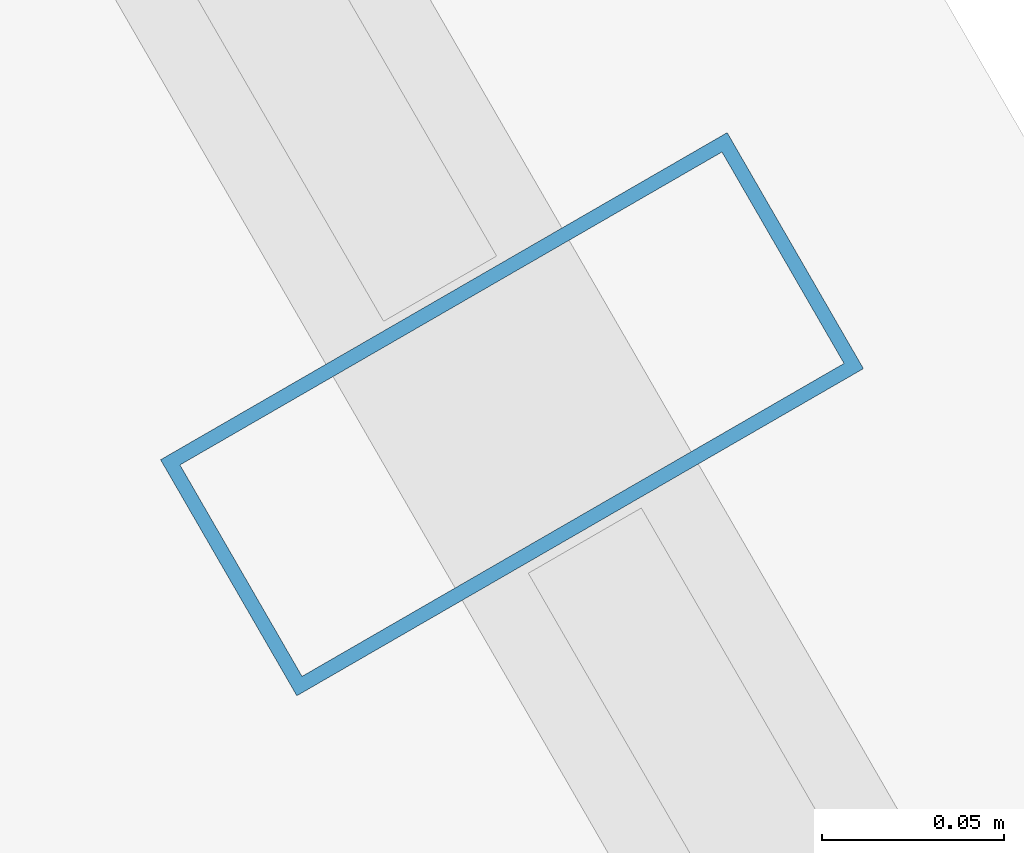
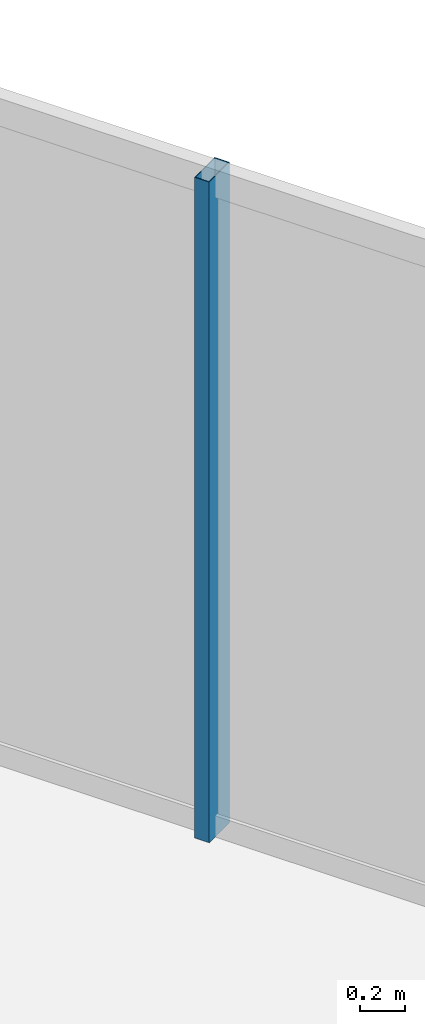
# One storey, part 25 of 34: 1 member, 1 element without a shape of its own.
"""IFC4 building model written with IfcOpenShell, lengths in metres."""

import ifcopenshell
import ifcopenshell.guid

model = None  # the IFC model being written
_history = None  # IfcOwnerHistory: only IFC2X3 demands one
_inside = {}  # id of a spatial element -> (the spatial element, [elements in it])
_under = {}  # id of a project, library or spatial element -> (it, [spatial elements below it])
_declared = {}  # id of a project -> (the project, [libraries it declares])
_typed = {}  # id of a type object -> (the type object, [elements of that type])
_made_of = {}  # id of a material, layer set ... -> (it, [elements and type objects made of it])


def new_model(schema):
    """Start an empty IFC model of exactly this schema.

    Asked for "IFC4X3", IfcOpenShell would pick the latest addendum, in which some entities
    have other attributes; the version numbers below select the first issue.
    IFC2X3 requires an IfcOwnerHistory on every rooted entity: one is made here for all.
    """
    global model, _history
    if schema == "IFC4X3":
        model = ifcopenshell.file(schema_version=(4, 3, 0, 0))
    else:
        model = ifcopenshell.file(schema=schema)
    _inside.clear()
    _under.clear()
    _declared.clear()
    _typed.clear()
    _made_of.clear()
    _history = None
    if model.schema == "IFC2X3":
        org = make("IfcOrganization", Name="unknown")
        user = make(
            "IfcPersonAndOrganization",
            ThePerson=make("IfcPerson", FamilyName="unknown"),
            TheOrganization=org,
        )
        app = make(
            "IfcApplication",
            ApplicationDeveloper=org,
            Version="unknown",
            ApplicationFullName="unknown",
            ApplicationIdentifier="unknown",
        )
        _history = make(
            "IfcOwnerHistory",
            OwningUser=user,
            OwningApplication=app,
            ChangeAction="ADDED",
            CreationDate=0,
        )
    return model


def make(cls, **values):
    """One entity of the class cls with the attributes given. An attribute that is None is left unset."""
    return model.create_entity(
        cls, **{name: value for name, value in values.items() if value is not None}
    )


def rooted(cls, **values):
    """An entity with a GlobalId (a new one), such as an element, a storey or a relation."""
    return make(cls, GlobalId=ifcopenshell.guid.new(), OwnerHistory=_history, **values)


def si_unit(unit_type, name, prefix=None):
    """IfcSIUnit, for example si_unit("LENGTHUNIT", "METRE", prefix="MILLI")."""
    return make("IfcSIUnit", UnitType=unit_type, Prefix=prefix, Name=name)


def assignment(units):
    """IfcUnitAssignment: the units of a project."""
    return None if units is None else make("IfcUnitAssignment", Units=units)


def point(xyz):
    """IfcCartesianPoint."""
    return None if xyz is None else make("IfcCartesianPoint", Coordinates=xyz)


def direction(xyz):
    """IfcDirection."""
    return None if xyz is None else make("IfcDirection", DirectionRatios=xyz)


def frame(location, z_axis=None, x_axis=None):
    """IfcAxis2Placement3D, a coordinate frame: its origin and axes. An axis left out is left unset."""
    return make(
        "IfcAxis2Placement3D",
        Location=point(location),
        Axis=direction(z_axis),
        RefDirection=direction(x_axis),
    )


def frame_2d(location, x_axis=None):
    """IfcAxis2Placement2D, a coordinate frame in the plane: its origin and x axis."""
    return make(
        "IfcAxis2Placement2D", Location=point(location), RefDirection=direction(x_axis)
    )


def origin():
    """The frame at (0, 0, 0) with its axes left unset."""
    return frame((0.0, 0.0, 0.0))


def origin_2d():
    """The frame at (0, 0) in the plane with its x axis left unset."""
    return frame_2d((0.0, 0.0))


def place(relative_to, where):
    """IfcLocalPlacement: puts the frame where relative to a parent placement (None: the world)."""
    return make(
        "IfcLocalPlacement", PlacementRelTo=relative_to, RelativePlacement=where
    )


def context(
    kind, dimensions, precision=None, world=None, true_north=None, identifier=None
):
    """IfcGeometricRepresentationContext, for example the 3D "Model" context."""
    return make(
        "IfcGeometricRepresentationContext",
        ContextIdentifier=identifier,
        ContextType=kind,
        CoordinateSpaceDimension=dimensions,
        Precision=precision,
        WorldCoordinateSystem=world,
        TrueNorth=true_north,
    )


def subcontext(parent, identifier, kind, view, scale=None):
    """IfcGeometricRepresentationSubContext, for example "Body" below "Model"."""
    return make(
        "IfcGeometricRepresentationSubContext",
        ContextIdentifier=identifier,
        ContextType=kind,
        ParentContext=parent,
        TargetScale=scale,
        TargetView=view,
    )


def project(units=None, contexts=None):
    """IfcProject with its units and contexts."""
    return rooted(
        "IfcProject",
        Name="project",
        RepresentationContexts=contexts,
        UnitsInContext=assignment(units),
    )


def spatial(cls, under=None, at=None, **own):
    """A site, building, storey or space (cls), placed at a placement, below another one or the project."""
    s = rooted(cls, ObjectPlacement=at, **own)
    if under is not None:
        _under.setdefault(under.id(), (under, []))[1].append(s)
    return s


def profile(cls, at=None, kind="AREA", **sizes):
    """A parametric profile (cls). Its sizes go by their IFC names, for example OverallWidth=200.0."""
    return make(cls, ProfileType=kind, Position=at, **sizes)


def hollow_rectangle(**sizes):
    """IfcRectangleHollowProfileDef."""
    return profile("IfcRectangleHollowProfileDef", **sizes)


def extrude(swept, where, along, depth):
    """IfcExtrudedAreaSolid: the profile swept, set in the frame where, extruded along a direction by depth."""
    return make(
        "IfcExtrudedAreaSolid",
        SweptArea=swept,
        Position=where,
        ExtrudedDirection=direction(along),
        Depth=depth,
    )


def shape(context_of_items, identifier, shape_type, items):
    """IfcShapeRepresentation: the items that make up one representation, for example the "Body"."""
    return make(
        "IfcShapeRepresentation",
        ContextOfItems=context_of_items,
        RepresentationIdentifier=identifier,
        RepresentationType=shape_type,
        Items=items,
    )


def material(Name=None, Category=None):
    """IfcMaterial."""
    return make("IfcMaterial", Name=Name, Category=Category)


def layer(
    of_material, thickness, ventilated=None, Name=None, Category=None, Priority=None
):
    """IfcMaterialLayer: one layer of a wall or slab, of a material (None: an air gap)."""
    return make(
        "IfcMaterialLayer",
        Material=of_material,
        LayerThickness=thickness,
        IsVentilated=ventilated,
        Name=Name,
        Category=Category,
        Priority=Priority,
    )


def layer_set(layers, Name=None):
    """IfcMaterialLayerSet."""
    return make("IfcMaterialLayerSet", MaterialLayers=layers, LayerSetName=Name)


def material_profile(
    of_material, cross_section, Name=None, Category=None, Priority=None
):
    """IfcMaterialProfile: a cross section and its material."""
    return make(
        "IfcMaterialProfile",
        Name=Name,
        Material=of_material,
        Profile=cross_section,
        Priority=Priority,
        Category=Category,
    )


def profile_set(profiles, Name=None, composite=None):
    """IfcMaterialProfileSet."""
    return make(
        "IfcMaterialProfileSet",
        Name=Name,
        MaterialProfiles=profiles,
        CompositeProfile=composite,
    )


def made_of(thing, what):
    """Note that an element or type object is made of a material, layer set ...; save() writes the relation."""
    if what is not None:
        _made_of.setdefault(what.id(), (what, []))[1].append(thing)
    return thing


def type_object(cls, material=None, **own):
    """A type object (cls), such as IfcWallType, which elements share."""
    return made_of(rooted(cls, **own), material)


def element(
    cls,
    number,
    at=None,
    inside=None,
    cuts=None,
    type_object=None,
    material=None,
    context=None,
    identifier="Body",
    shape_type=None,
    held_by="IfcProductDefinitionShape",
    body=None,
    shapes=None,
    **own,
):
    """One element of the class cls, such as IfcWall. Its Tag is "e" and its number.

    at: its placement. inside: the storey or other place that contains it. cuts: it is an
    opening in that element (IfcRelVoidsElement). A single representation is given by context,
    identifier, shape_type and body (its items); several are given by shapes. held_by: the class
    of the entity that holds the representations. save() writes the other relations.
    """
    e = rooted(cls, Tag="e%d" % number, ObjectPlacement=at, **own)
    if body is not None:
        shapes = [shape(context, identifier, shape_type, body)]
    if shapes is not None:
        e.Representation = make(held_by, Representations=shapes)
    if inside is not None:
        _inside.setdefault(inside.id(), (inside, []))[1].append(e)
    if cuts is not None:
        rooted(
            "IfcRelVoidsElement", RelatingBuildingElement=cuts, RelatedOpeningElement=e
        )
    if type_object is not None:
        _typed.setdefault(type_object.id(), (type_object, []))[1].append(e)
    return made_of(e, material)


def aggregate(whole, parts):
    """IfcRelAggregates: a whole, such as a stair, and the parts it consists of."""
    return rooted("IfcRelAggregates", RelatingObject=whole, RelatedObjects=parts)


def save(model, path):
    """Write the relations noted so far, then the file.

    IfcRelAggregates (storeys below a building ...), IfcRelContainedInSpatialStructure (elements
    in a storey), IfcRelDefinesByType, IfcRelAssociatesMaterial and IfcRelDeclares: one each for
    every whole, place, type object, material and project.
    """
    for whole, parts in _under.values():
        aggregate(whole, parts)
    for where, things in _inside.values():
        rooted(
            "IfcRelContainedInSpatialStructure",
            RelatedElements=things,
            RelatingStructure=where,
        )
    for kind, things in _typed.values():
        rooted("IfcRelDefinesByType", RelatedObjects=things, RelatingType=kind)
    for what, things in _made_of.values():
        rooted("IfcRelAssociatesMaterial", RelatedObjects=things, RelatingMaterial=what)
    for by, libraries in _declared.values():
        rooted("IfcRelDeclares", RelatingContext=by, RelatedDefinitions=libraries)
    model.write(path)


model = new_model("IFC4")

# Units and contexts
model_context = context("Model", 3, precision=1e-05, world=origin(), true_north=direction((0.0, 1.0)))
body_context = subcontext(model_context, "Body", "Model", "MODEL_VIEW")
ifc_project = project(units=[si_unit("LENGTHUNIT", "METRE"), si_unit("AREAUNIT", "SQUARE_METRE"), si_unit("VOLUMEUNIT", "CUBIC_METRE"), si_unit("PLANEANGLEUNIT", "RADIAN"), si_unit("MASSUNIT", "GRAM", prefix="KILO")], contexts=[model_context])

# Site, building, storey
site_placement = place(None, origin())
site = spatial("IfcSite", under=ifc_project, at=site_placement, CompositionType="ELEMENT")
building_placement = place(site_placement, origin())
building = spatial("IfcBuilding", under=site, at=building_placement, Name="Ndaravel Arena Tower", CompositionType="ELEMENT")
storey_placement = place(building_placement, frame((0.0, 0.0, 195.39990234375)))
storey = spatial("IfcBuildingStorey", under=building, at=storey_placement, Name="L47", CompositionType="ELEMENT", Elevation=195.39990234375)

# Curtain wall, member
ifc_material_1 = material(Name="Aluminium", Category="aluminium")
ifc_layer = layer(ifc_material_1, 0.179931640625)
ifc_layer_set = layer_set([ifc_layer], Name="Aluminium")
curtain_wall_type = type_object("IfcCurtainWallType", Name="CW-SYS-03", PredefinedType="NOTDEFINED", material=ifc_layer_set)
curtain_wall_placement = place(storey_placement, origin())
curtain_wall = element("IfcCurtainWall", 1, at=curtain_wall_placement, inside=storey, type_object=curtain_wall_type, Name="L47 Faceted Crystal Curtain Wall CW-L47-E03", PredefinedType="NOTDEFINED")
ifc_material_2 = material(Name="Aluminium", Category="aluminium")
ifc_material_profile = material_profile(ifc_material_2, hollow_rectangle(XDim=0.074951171875, YDim=0.179931640625, WallThickness=0.00390625, at=origin_2d()), Name="CW MULLION 75x180x4")
ifc_profile_set = profile_set([ifc_material_profile], Name="Aluminium")
member_type = type_object("IfcMemberType", Name="MEM-CW-MUL180", PredefinedType="MULLION", material=ifc_profile_set)
member_placement = place(storey_placement, frame((50.773681640625, 38.763427734375, 0.0), z_axis=(0.0, 0.0, 1.0), x_axis=(-0.5, 0.866025403784, 0.0)))
member = element("IfcMember", 2, at=member_placement, type_object=member_type, Name="CW-L47-E03 Mullion 07", PredefinedType="MULLION", context=body_context, shape_type="SweptSolid", body=[
    extrude(hollow_rectangle(XDim=0.074951171875, YDim=0.179931640625, WallThickness=0.00390625, at=origin_2d()), origin(), (0.0, 0.0, 1.0), 3.580078125),
])
aggregate(curtain_wall, [member])

save(model, "model.ifc")
